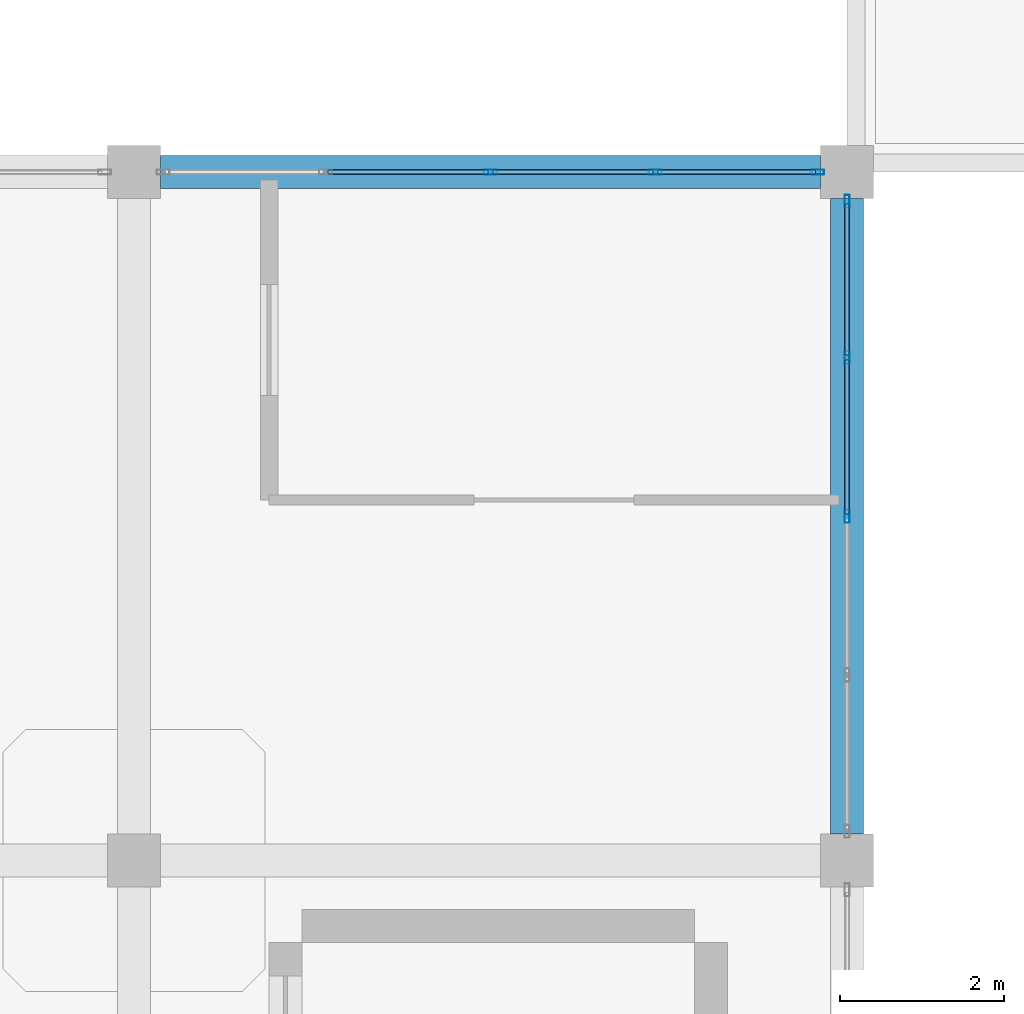
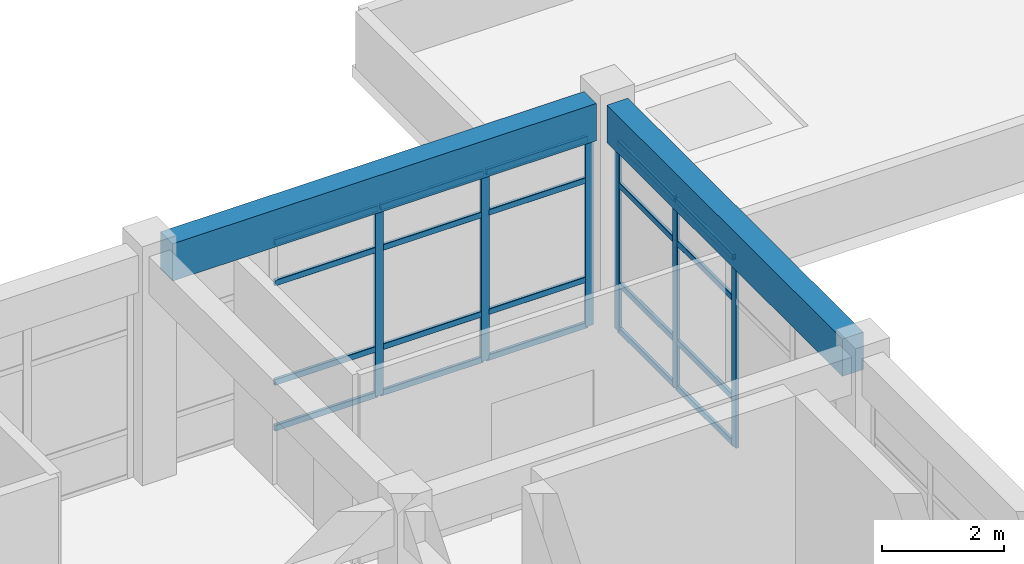
# One storey, part 21 of 41: 26 members, 2 beams, 2 elements without a shape of their own.
"""IFC4 building model written with IfcOpenShell, lengths in metres."""

from ifc_helpers import new_model, si_unit, derived_unit, direction, frame, origin, origin_2d, place, context, subcontext, project, spatial, rectangle, hollow_rectangle, extrude, material, layer, layer_set, material_profile, profile_set, type_object, element, aggregate, save


model = new_model("IFC4")

# Units and contexts
model_context = context("Model", 3, precision=1e-05, world=origin(), true_north=direction((0.0, 1.0)))
body_context = subcontext(model_context, "Body", "Model", "MODEL_VIEW")
ifc_project = project(units=[si_unit("LENGTHUNIT", "METRE"), si_unit("AREAUNIT", "SQUARE_METRE"), si_unit("VOLUMEUNIT", "CUBIC_METRE"), si_unit("PLANEANGLEUNIT", "RADIAN"), si_unit("MASSUNIT", "GRAM", prefix="KILO"), derived_unit("THERMALTRANSMITTANCEUNIT", [(si_unit("MASSUNIT", "GRAM", prefix="KILO"), 1), (si_unit("TIMEUNIT", "SECOND"), -3), (si_unit("THERMODYNAMICTEMPERATUREUNIT", "KELVIN"), -1)])], contexts=[model_context])

# Site, building, storey
site_placement = place(None, origin())
site = spatial("IfcSite", under=ifc_project, at=site_placement, CompositionType="ELEMENT")
building_placement = place(site_placement, origin())
building = spatial("IfcBuilding", under=site, at=building_placement, Name="Qinzheling Arcade Emporium", CompositionType="ELEMENT")
storey_placement = place(building_placement, frame((0.0, 0.0, 36.300048828125)))
storey = spatial("IfcBuildingStorey", under=building, at=storey_placement, Name="L08", CompositionType="ELEMENT", Elevation=36.300048828125)

# Curtain wall, members
ifc_material_1 = material(Name="Anodised aluminium and solar-control double glazing", Category="aluminium")
ifc_layer_1 = layer(ifc_material_1, 0.159912109375, Name="Anodised aluminium and solar-control double glazing", Category="aluminium")
ifc_layer_set_1 = layer_set([ifc_layer_1], Name="Anodised aluminium and solar-control double glazing")
curtain_wall_type_1 = type_object("IfcCurtainWallType", Name="Arcade Portal Glazed Curtain Wall", PredefinedType="NOTDEFINED", material=ifc_layer_set_1)
curtain_wall_1_placement = place(storey_placement, origin())
curtain_wall_1 = element("IfcCurtainWall", 1, at=curtain_wall_1_placement, inside=storey, type_object=curtain_wall_type_1, Name="Curtain Wall CW-L08-448", PredefinedType="NOTDEFINED")
ifc_material_2 = material(Name="Anodised aluminium 6063-T6", Category="aluminium")
ifc_material_profile_1 = material_profile(ifc_material_2, hollow_rectangle(XDim=0.06005859375, YDim=0.159912109375, WallThickness=0.00390625, InnerFilletRadius=0.00390625, OuterFilletRadius=0.008056640625, at=origin_2d()), Name="RHS 160x60x4", Category="aluminium")
ifc_profile_set_1 = profile_set([ifc_material_profile_1], Name="Anodised aluminium 6063-T6")
member_type_1 = type_object("IfcMemberType", Name="Curtain Wall Mullion RHS160x60", PredefinedType="MULLION", material=ifc_profile_set_1)
member_1_placement = place(storey_placement, frame((69.60009765625, 41.64306640625, 0.0), z_axis=(0.0, 0.0, 1.0), x_axis=(1.0, 0.0, 0.0)))
member_1 = element("IfcMember", 2, at=member_1_placement, type_object=member_type_1, Name="CW05 mullion 1", PredefinedType="MULLION", context=body_context, shape_type="SweptSolid", body=[
    extrude(hollow_rectangle(XDim=0.06005859375, YDim=0.159912109375, WallThickness=0.00390625, InnerFilletRadius=0.00390625, OuterFilletRadius=0.008056640625, at=origin_2d()), origin(), (0.0, 0.0, 1.0), 3.794921875),
])
member_2_placement = place(storey_placement, frame((69.60009765625, 39.736572265625, 0.0), z_axis=(0.0, 0.0, 1.0), x_axis=(1.0, 0.0, 0.0)))
member_2 = element("IfcMember", 3, at=member_2_placement, type_object=member_type_1, Name="CW05 mullion 2", PredefinedType="MULLION", context=body_context, shape_type="SweptSolid", body=[
    extrude(hollow_rectangle(XDim=0.06005859375, YDim=0.159912109375, WallThickness=0.00390625, InnerFilletRadius=0.00390625, OuterFilletRadius=0.008056640625, at=origin_2d()), origin(), (0.0, 0.0, 1.0), 3.794921875),
])
member_3_placement = place(storey_placement, frame((69.60009765625, 37.800048828125, 0.0), z_axis=(0.0, 0.0, 1.0), x_axis=(1.0, 0.0, 0.0)))
member_3 = element("IfcMember", 4, at=member_3_placement, type_object=member_type_1, Name="CW05 mullion 3", PredefinedType="MULLION", context=body_context, shape_type="SweptSolid", body=[
    extrude(hollow_rectangle(XDim=0.06005859375, YDim=0.159912109375, WallThickness=0.00390625, InnerFilletRadius=0.00390625, OuterFilletRadius=0.008056640625, at=origin_2d()), origin(), (0.0, 0.0, 1.0), 3.794921875),
])

ifc_layer_2 = layer(ifc_material_1, 0.159912109375, Name="Anodised aluminium and solar-control double glazing", Category="aluminium")
ifc_layer_set_2 = layer_set([ifc_layer_2], Name="Anodised aluminium and solar-control double glazing")
curtain_wall_type_2 = type_object("IfcCurtainWallType", Name="Atrium Clerestory Curtain Wall", PredefinedType="NOTDEFINED", material=ifc_layer_set_2)
curtain_wall_2_placement = place(storey_placement, origin())
curtain_wall_2 = element("IfcCurtainWall", 5, at=curtain_wall_2_placement, inside=storey, type_object=curtain_wall_type_2, Name="Curtain Wall CW-L08-467", PredefinedType="NOTDEFINED")
member_4_placement = place(storey_placement, frame((65.25, 42.0, 0.0), z_axis=(0.0, 0.0, 1.0), x_axis=(0.0, 1.0, 0.0)))
member_4 = element("IfcMember", 6, at=member_4_placement, type_object=member_type_1, Name="CW03 mullion 3", PredefinedType="MULLION", context=body_context, shape_type="SweptSolid", body=[
    extrude(hollow_rectangle(XDim=0.06005859375, YDim=0.159912109375, WallThickness=0.00390625, InnerFilletRadius=0.00390625, OuterFilletRadius=0.008056640625, at=origin_2d()), origin(), (0.0, 0.0, 1.0), 3.794921875),
])
member_5_placement = place(storey_placement, frame((67.261474609375, 42.0, 0.0), z_axis=(0.0, 0.0, 1.0), x_axis=(0.0, 1.0, 0.0)))
member_5 = element("IfcMember", 7, at=member_5_placement, type_object=member_type_1, Name="CW03 mullion 4", PredefinedType="MULLION", context=body_context, shape_type="SweptSolid", body=[
    extrude(hollow_rectangle(XDim=0.06005859375, YDim=0.159912109375, WallThickness=0.00390625, InnerFilletRadius=0.00390625, OuterFilletRadius=0.008056640625, at=origin_2d()), origin(), (0.0, 0.0, 1.0), 3.794921875),
])
member_6_placement = place(storey_placement, frame((69.242919921875, 42.0, 0.0), z_axis=(0.0, 0.0, 1.0), x_axis=(0.0, 1.0, 0.0)))
member_6 = element("IfcMember", 8, at=member_6_placement, type_object=member_type_1, Name="CW03 mullion 5", PredefinedType="MULLION", context=body_context, shape_type="SweptSolid", body=[
    extrude(hollow_rectangle(XDim=0.06005859375, YDim=0.159912109375, WallThickness=0.00390625, InnerFilletRadius=0.00390625, OuterFilletRadius=0.008056640625, at=origin_2d()), origin(), (0.0, 0.0, 1.0), 3.794921875),
])

# Member
ifc_material_profile_2 = material_profile(ifc_material_2, hollow_rectangle(XDim=0.06005859375, YDim=0.1201171875, WallThickness=0.00390625, InnerFilletRadius=0.00390625, OuterFilletRadius=0.008056640625, at=origin_2d()), Name="RHS 120x60x4", Category="aluminium")
ifc_profile_set_2 = profile_set([ifc_material_profile_2], Name="Anodised aluminium 6063-T6")
member_type_2 = type_object("IfcMemberType", Name="Curtain Wall Transom RHS120x60", PredefinedType="USERDEFINED", material=ifc_profile_set_2)
member_7_placement = place(storey_placement, frame((69.60009765625, 41.613037109375, 0.030029296875), z_axis=(0.0, -1.0, 0.0), x_axis=(1.0, 0.0, 0.0)))
member_7 = element("IfcMember", 9, at=member_7_placement, type_object=member_type_2, Name="CW05 transom 1.1", ObjectType="TRANSOM", PredefinedType="USERDEFINED", context=body_context, shape_type="SweptSolid", body=[
    extrude(hollow_rectangle(XDim=0.06005859375, YDim=0.1201171875, WallThickness=0.00390625, InnerFilletRadius=0.00390625, OuterFilletRadius=0.008056640625, at=origin_2d()), origin(), (0.0, 0.0, 1.0), 1.846435546875),
])

member_8_placement = place(storey_placement, frame((69.60009765625, 41.613037109375, 0.949951171875), z_axis=(0.0, -1.0, 0.0), x_axis=(1.0, 0.0, 0.0)))
member_8 = element("IfcMember", 10, at=member_8_placement, type_object=member_type_2, Name="CW05 transom 1.2", ObjectType="TRANSOM", PredefinedType="USERDEFINED", context=body_context, shape_type="SweptSolid", body=[
    extrude(hollow_rectangle(XDim=0.06005859375, YDim=0.1201171875, WallThickness=0.00390625, InnerFilletRadius=0.00390625, OuterFilletRadius=0.008056640625, at=origin_2d()), origin(), (0.0, 0.0, 1.0), 1.846435546875),
])

member_9_placement = place(storey_placement, frame((69.60009765625, 41.613037109375, 2.945068359375), z_axis=(0.0, -1.0, 0.0), x_axis=(1.0, 0.0, 0.0)))
member_9 = element("IfcMember", 11, at=member_9_placement, type_object=member_type_2, Name="CW05 transom 1.3", ObjectType="TRANSOM", PredefinedType="USERDEFINED", context=body_context, shape_type="SweptSolid", body=[
    extrude(hollow_rectangle(XDim=0.06005859375, YDim=0.1201171875, WallThickness=0.00390625, InnerFilletRadius=0.00390625, OuterFilletRadius=0.008056640625, at=origin_2d()), origin(), (0.0, 0.0, 1.0), 1.846435546875),
])

member_10_placement = place(storey_placement, frame((69.60009765625, 41.613037109375, 3.764892578125), z_axis=(0.0, -1.0, 0.0), x_axis=(1.0, 0.0, 0.0)))
member_10 = element("IfcMember", 12, at=member_10_placement, type_object=member_type_2, Name="CW05 transom 1.4", ObjectType="TRANSOM", PredefinedType="USERDEFINED", context=body_context, shape_type="SweptSolid", body=[
    extrude(hollow_rectangle(XDim=0.06005859375, YDim=0.1201171875, WallThickness=0.00390625, InnerFilletRadius=0.00390625, OuterFilletRadius=0.008056640625, at=origin_2d()), origin(), (0.0, 0.0, 1.0), 1.846435546875),
])

member_11_placement = place(storey_placement, frame((69.60009765625, 39.70654296875, 0.030029296875), z_axis=(0.0, -1.0, 0.0), x_axis=(1.0, 0.0, 0.0)))
member_11 = element("IfcMember", 13, at=member_11_placement, type_object=member_type_2, Name="CW05 transom 2.1", ObjectType="TRANSOM", PredefinedType="USERDEFINED", context=body_context, shape_type="SweptSolid", body=[
    extrude(hollow_rectangle(XDim=0.06005859375, YDim=0.1201171875, WallThickness=0.00390625, InnerFilletRadius=0.00390625, OuterFilletRadius=0.008056640625, at=origin_2d()), origin(), (0.0, 0.0, 1.0), 1.87646484375),
])

member_12_placement = place(storey_placement, frame((69.60009765625, 39.70654296875, 0.949951171875), z_axis=(0.0, -1.0, 0.0), x_axis=(1.0, 0.0, 0.0)))
member_12 = element("IfcMember", 14, at=member_12_placement, type_object=member_type_2, Name="CW05 transom 2.2", ObjectType="TRANSOM", PredefinedType="USERDEFINED", context=body_context, shape_type="SweptSolid", body=[
    extrude(hollow_rectangle(XDim=0.06005859375, YDim=0.1201171875, WallThickness=0.00390625, InnerFilletRadius=0.00390625, OuterFilletRadius=0.008056640625, at=origin_2d()), origin(), (0.0, 0.0, 1.0), 1.87646484375),
])

member_13_placement = place(storey_placement, frame((69.60009765625, 39.70654296875, 2.945068359375), z_axis=(0.0, -1.0, 0.0), x_axis=(1.0, 0.0, 0.0)))
member_13 = element("IfcMember", 15, at=member_13_placement, type_object=member_type_2, Name="CW05 transom 2.3", ObjectType="TRANSOM", PredefinedType="USERDEFINED", context=body_context, shape_type="SweptSolid", body=[
    extrude(hollow_rectangle(XDim=0.06005859375, YDim=0.1201171875, WallThickness=0.00390625, InnerFilletRadius=0.00390625, OuterFilletRadius=0.008056640625, at=origin_2d()), origin(), (0.0, 0.0, 1.0), 1.87646484375),
])

member_14_placement = place(storey_placement, frame((69.60009765625, 39.70654296875, 3.764892578125), z_axis=(0.0, -1.0, 0.0), x_axis=(1.0, 0.0, 0.0)))
member_14 = element("IfcMember", 16, at=member_14_placement, type_object=member_type_2, Name="CW05 transom 2.4", ObjectType="TRANSOM", PredefinedType="USERDEFINED", context=body_context, shape_type="SweptSolid", body=[
    extrude(hollow_rectangle(XDim=0.06005859375, YDim=0.1201171875, WallThickness=0.00390625, InnerFilletRadius=0.00390625, OuterFilletRadius=0.008056640625, at=origin_2d()), origin(), (0.0, 0.0, 1.0), 1.87646484375),
])

aggregate(curtain_wall_1, [member_1, member_2, member_3, member_7, member_8, member_9, member_10, member_11, member_12, member_13, member_14])

member_15_placement = place(storey_placement, frame((63.2685546875, 42.0, 0.030029296875), z_axis=(1.0, 0.0, 0.0), x_axis=(0.0, 1.0, 0.0)))
member_15 = element("IfcMember", 17, at=member_15_placement, type_object=member_type_2, Name="CW03 transom 2.1", ObjectType="TRANSOM", PredefinedType="USERDEFINED", context=body_context, shape_type="SweptSolid", body=[
    extrude(hollow_rectangle(XDim=0.06005859375, YDim=0.1201171875, WallThickness=0.00390625, InnerFilletRadius=0.00390625, OuterFilletRadius=0.008056640625, at=origin_2d()), origin(), (0.0, 0.0, 1.0), 1.951416015625),
])

member_16_placement = place(storey_placement, frame((63.2685546875, 42.0, 0.949951171875), z_axis=(1.0, 0.0, 0.0), x_axis=(0.0, 1.0, 0.0)))
member_16 = element("IfcMember", 18, at=member_16_placement, type_object=member_type_2, Name="CW03 transom 2.2", ObjectType="TRANSOM", PredefinedType="USERDEFINED", context=body_context, shape_type="SweptSolid", body=[
    extrude(hollow_rectangle(XDim=0.06005859375, YDim=0.1201171875, WallThickness=0.00390625, InnerFilletRadius=0.00390625, OuterFilletRadius=0.008056640625, at=origin_2d()), origin(), (0.0, 0.0, 1.0), 1.951416015625),
])

member_17_placement = place(storey_placement, frame((63.2685546875, 42.0, 2.945068359375), z_axis=(1.0, 0.0, 0.0), x_axis=(0.0, 1.0, 0.0)))
member_17 = element("IfcMember", 19, at=member_17_placement, type_object=member_type_2, Name="CW03 transom 2.3", ObjectType="TRANSOM", PredefinedType="USERDEFINED", context=body_context, shape_type="SweptSolid", body=[
    extrude(hollow_rectangle(XDim=0.06005859375, YDim=0.1201171875, WallThickness=0.00390625, InnerFilletRadius=0.00390625, OuterFilletRadius=0.008056640625, at=origin_2d()), origin(), (0.0, 0.0, 1.0), 1.951416015625),
])

member_18_placement = place(storey_placement, frame((63.2685546875, 42.0, 3.764892578125), z_axis=(1.0, 0.0, 0.0), x_axis=(0.0, 1.0, 0.0)))
member_18 = element("IfcMember", 20, at=member_18_placement, type_object=member_type_2, Name="CW03 transom 2.4", ObjectType="TRANSOM", PredefinedType="USERDEFINED", context=body_context, shape_type="SweptSolid", body=[
    extrude(hollow_rectangle(XDim=0.06005859375, YDim=0.1201171875, WallThickness=0.00390625, InnerFilletRadius=0.00390625, OuterFilletRadius=0.008056640625, at=origin_2d()), origin(), (0.0, 0.0, 1.0), 1.951416015625),
])

member_19_placement = place(storey_placement, frame((65.280029296875, 42.0, 0.030029296875), z_axis=(1.0, 0.0, 0.0), x_axis=(0.0, 1.0, 0.0)))
member_19 = element("IfcMember", 21, at=member_19_placement, type_object=member_type_2, Name="CW03 transom 3.1", ObjectType="TRANSOM", PredefinedType="USERDEFINED", context=body_context, shape_type="SweptSolid", body=[
    extrude(hollow_rectangle(XDim=0.06005859375, YDim=0.1201171875, WallThickness=0.00390625, InnerFilletRadius=0.00390625, OuterFilletRadius=0.008056640625, at=origin_2d()), origin(), (0.0, 0.0, 1.0), 1.951416015625),
])

member_20_placement = place(storey_placement, frame((65.280029296875, 42.0, 0.949951171875), z_axis=(1.0, 0.0, 0.0), x_axis=(0.0, 1.0, 0.0)))
member_20 = element("IfcMember", 22, at=member_20_placement, type_object=member_type_2, Name="CW03 transom 3.2", ObjectType="TRANSOM", PredefinedType="USERDEFINED", context=body_context, shape_type="SweptSolid", body=[
    extrude(hollow_rectangle(XDim=0.06005859375, YDim=0.1201171875, WallThickness=0.00390625, InnerFilletRadius=0.00390625, OuterFilletRadius=0.008056640625, at=origin_2d()), origin(), (0.0, 0.0, 1.0), 1.951416015625),
])

member_21_placement = place(storey_placement, frame((65.280029296875, 42.0, 2.945068359375), z_axis=(1.0, 0.0, 0.0), x_axis=(0.0, 1.0, 0.0)))
member_21 = element("IfcMember", 23, at=member_21_placement, type_object=member_type_2, Name="CW03 transom 3.3", ObjectType="TRANSOM", PredefinedType="USERDEFINED", context=body_context, shape_type="SweptSolid", body=[
    extrude(hollow_rectangle(XDim=0.06005859375, YDim=0.1201171875, WallThickness=0.00390625, InnerFilletRadius=0.00390625, OuterFilletRadius=0.008056640625, at=origin_2d()), origin(), (0.0, 0.0, 1.0), 1.951416015625),
])

member_22_placement = place(storey_placement, frame((65.280029296875, 42.0, 3.764892578125), z_axis=(1.0, 0.0, 0.0), x_axis=(0.0, 1.0, 0.0)))
member_22 = element("IfcMember", 24, at=member_22_placement, type_object=member_type_2, Name="CW03 transom 3.4", ObjectType="TRANSOM", PredefinedType="USERDEFINED", context=body_context, shape_type="SweptSolid", body=[
    extrude(hollow_rectangle(XDim=0.06005859375, YDim=0.1201171875, WallThickness=0.00390625, InnerFilletRadius=0.00390625, OuterFilletRadius=0.008056640625, at=origin_2d()), origin(), (0.0, 0.0, 1.0), 1.951416015625),
])

member_23_placement = place(storey_placement, frame((67.29150390625, 42.0, 0.030029296875), z_axis=(1.0, 0.0, 0.0), x_axis=(0.0, 1.0, 0.0)))
member_23 = element("IfcMember", 25, at=member_23_placement, type_object=member_type_2, Name="CW03 transom 4.1", ObjectType="TRANSOM", PredefinedType="USERDEFINED", context=body_context, shape_type="SweptSolid", body=[
    extrude(hollow_rectangle(XDim=0.06005859375, YDim=0.1201171875, WallThickness=0.00390625, InnerFilletRadius=0.00390625, OuterFilletRadius=0.008056640625, at=origin_2d()), origin(), (0.0, 0.0, 1.0), 1.92138671875),
])

member_24_placement = place(storey_placement, frame((67.29150390625, 42.0, 0.949951171875), z_axis=(1.0, 0.0, 0.0), x_axis=(0.0, 1.0, 0.0)))
member_24 = element("IfcMember", 26, at=member_24_placement, type_object=member_type_2, Name="CW03 transom 4.2", ObjectType="TRANSOM", PredefinedType="USERDEFINED", context=body_context, shape_type="SweptSolid", body=[
    extrude(hollow_rectangle(XDim=0.06005859375, YDim=0.1201171875, WallThickness=0.00390625, InnerFilletRadius=0.00390625, OuterFilletRadius=0.008056640625, at=origin_2d()), origin(), (0.0, 0.0, 1.0), 1.92138671875),
])

member_25_placement = place(storey_placement, frame((67.29150390625, 42.0, 2.945068359375), z_axis=(1.0, 0.0, 0.0), x_axis=(0.0, 1.0, 0.0)))
member_25 = element("IfcMember", 27, at=member_25_placement, type_object=member_type_2, Name="CW03 transom 4.3", ObjectType="TRANSOM", PredefinedType="USERDEFINED", context=body_context, shape_type="SweptSolid", body=[
    extrude(hollow_rectangle(XDim=0.06005859375, YDim=0.1201171875, WallThickness=0.00390625, InnerFilletRadius=0.00390625, OuterFilletRadius=0.008056640625, at=origin_2d()), origin(), (0.0, 0.0, 1.0), 1.92138671875),
])

member_26_placement = place(storey_placement, frame((67.29150390625, 42.0, 3.764892578125), z_axis=(1.0, 0.0, 0.0), x_axis=(0.0, 1.0, 0.0)))
member_26 = element("IfcMember", 28, at=member_26_placement, type_object=member_type_2, Name="CW03 transom 4.4", ObjectType="TRANSOM", PredefinedType="USERDEFINED", context=body_context, shape_type="SweptSolid", body=[
    extrude(hollow_rectangle(XDim=0.06005859375, YDim=0.1201171875, WallThickness=0.00390625, InnerFilletRadius=0.00390625, OuterFilletRadius=0.008056640625, at=origin_2d()), origin(), (0.0, 0.0, 1.0), 1.92138671875),
])

aggregate(curtain_wall_2, [member_4, member_5, member_6, member_15, member_16, member_17, member_18, member_19, member_20, member_21, member_22, member_23, member_24, member_25, member_26])

# Beams
ifc_material_3 = material(Name="Concrete C40", Category="concrete")
ifc_material_profile_3 = material_profile(ifc_material_3, rectangle(XDim=0.39990234375, YDim=0.75, at=origin_2d()), Name="RC 400x750", Category="concrete")
ifc_profile_set_3 = profile_set([ifc_material_profile_3], Name="Concrete C40")
beam_type = type_object("IfcBeamType", Name="RC Interior Tie Beam 400x750 C40", PredefinedType="BEAM", material=ifc_profile_set_3)
beam_1_placement = place(storey_placement, frame((61.22509765625, 42.0, 4.18505859375), z_axis=(1.0, 0.0, 0.0), x_axis=(0.0, 1.0, 0.0)))
element("IfcBeam", 29, at=beam_1_placement, inside=storey, type_object=beam_type, Name="Beam BM-L08-X-F-8", PredefinedType="BEAM", context=body_context, shape_type="SweptSolid", body=[
    extrude(rectangle(XDim=0.39990234375, YDim=0.75, at=origin_2d()), origin(), (0.0, 0.0, 1.0), 8.0498046875),
])
beam_2_placement = place(storey_placement, frame((69.60009765625, 33.925048828125, 4.18505859375), z_axis=(0.0, 1.0, 0.0), x_axis=(-1.0, 0.0, 0.0)))
element("IfcBeam", 30, at=beam_2_placement, inside=storey, type_object=beam_type, Name="Beam BM-L08-Y-9-E", PredefinedType="BEAM", context=body_context, shape_type="SweptSolid", body=[
    extrude(rectangle(XDim=0.39990234375, YDim=0.75, at=origin_2d()), origin(), (0.0, 0.0, 1.0), 7.75),
])

save(model, "model.ifc")
